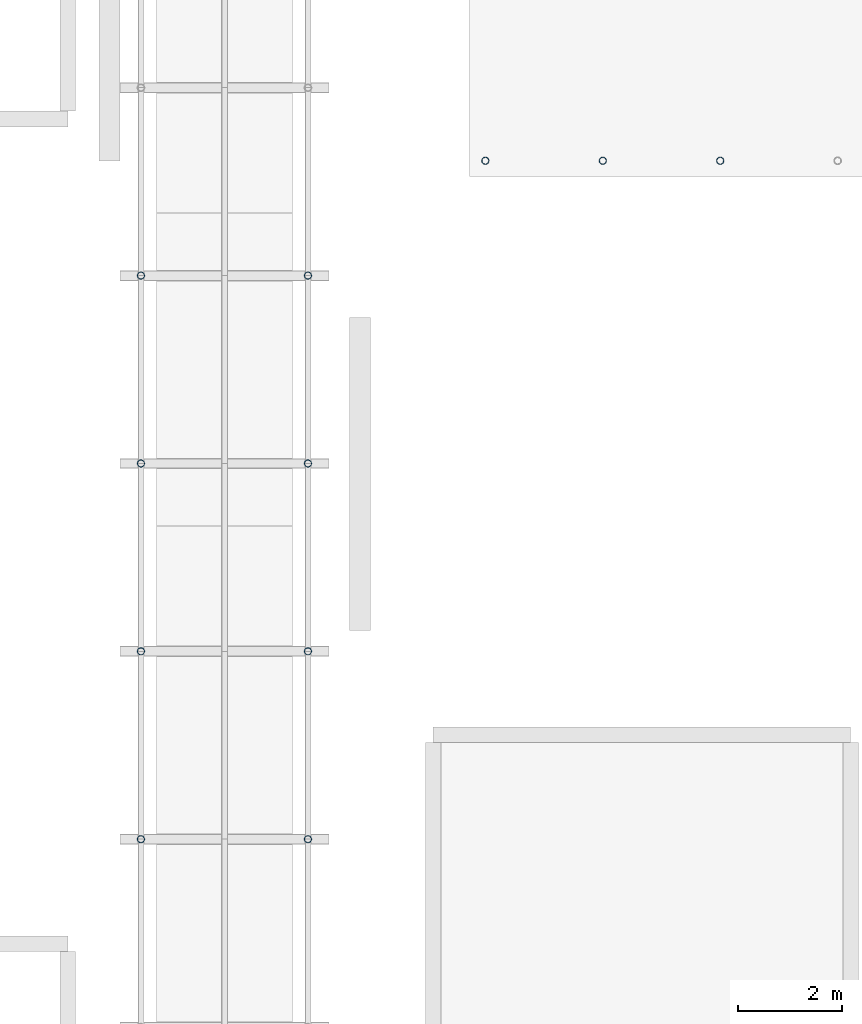
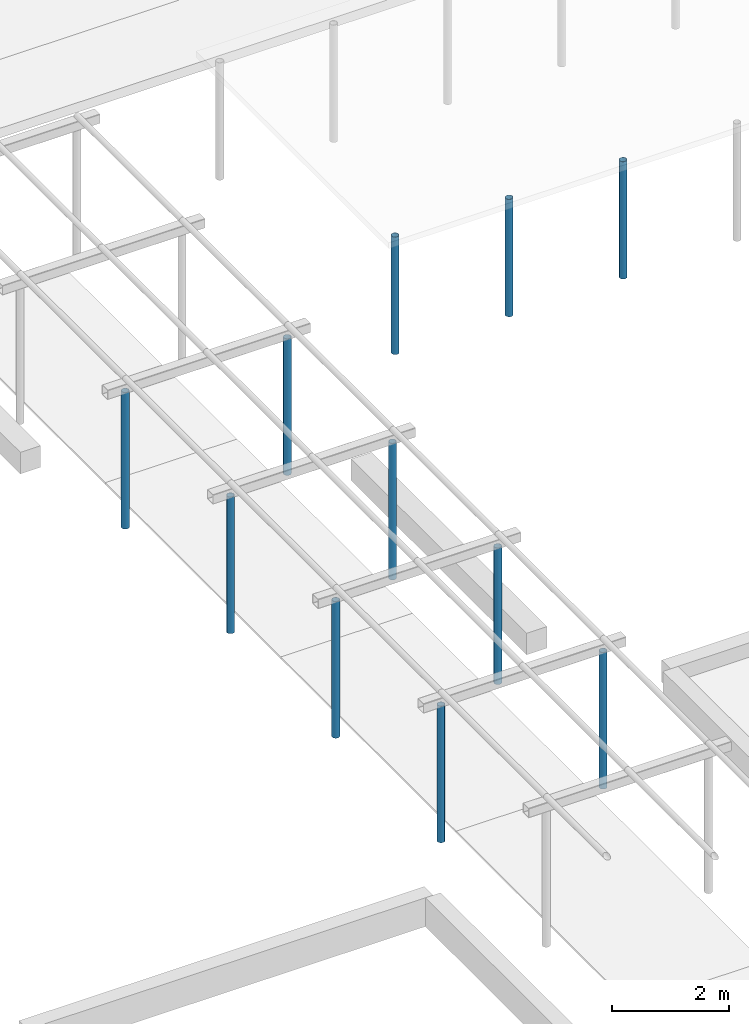
# One storey, part 8 of 71: 11 columns.
"""IFC4 building model written with IfcOpenShell, lengths in metres."""

import ifcopenshell
import ifcopenshell.guid

model = None  # the IFC model being written
_history = None  # IfcOwnerHistory: only IFC2X3 demands one
_inside = {}  # id of a spatial element -> (the spatial element, [elements in it])
_under = {}  # id of a project, library or spatial element -> (it, [spatial elements below it])
_declared = {}  # id of a project -> (the project, [libraries it declares])
_typed = {}  # id of a type object -> (the type object, [elements of that type])
_made_of = {}  # id of a material, layer set ... -> (it, [elements and type objects made of it])


def new_model(schema):
    """Start an empty IFC model of exactly this schema.

    Asked for "IFC4X3", IfcOpenShell would pick the latest addendum, in which some entities
    have other attributes; the version numbers below select the first issue.
    IFC2X3 requires an IfcOwnerHistory on every rooted entity: one is made here for all.
    """
    global model, _history
    if schema == "IFC4X3":
        model = ifcopenshell.file(schema_version=(4, 3, 0, 0))
    else:
        model = ifcopenshell.file(schema=schema)
    _inside.clear()
    _under.clear()
    _declared.clear()
    _typed.clear()
    _made_of.clear()
    _history = None
    if model.schema == "IFC2X3":
        org = make("IfcOrganization", Name="unknown")
        user = make(
            "IfcPersonAndOrganization",
            ThePerson=make("IfcPerson", FamilyName="unknown"),
            TheOrganization=org,
        )
        app = make(
            "IfcApplication",
            ApplicationDeveloper=org,
            Version="unknown",
            ApplicationFullName="unknown",
            ApplicationIdentifier="unknown",
        )
        _history = make(
            "IfcOwnerHistory",
            OwningUser=user,
            OwningApplication=app,
            ChangeAction="ADDED",
            CreationDate=0,
        )
    return model


def make(cls, **values):
    """One entity of the class cls with the attributes given. An attribute that is None is left unset."""
    return model.create_entity(
        cls, **{name: value for name, value in values.items() if value is not None}
    )


def rooted(cls, **values):
    """An entity with a GlobalId (a new one), such as an element, a storey or a relation."""
    return make(cls, GlobalId=ifcopenshell.guid.new(), OwnerHistory=_history, **values)


def si_unit(unit_type, name, prefix=None):
    """IfcSIUnit, for example si_unit("LENGTHUNIT", "METRE", prefix="MILLI")."""
    return make("IfcSIUnit", UnitType=unit_type, Prefix=prefix, Name=name)


def assignment(units):
    """IfcUnitAssignment: the units of a project."""
    return None if units is None else make("IfcUnitAssignment", Units=units)


def point(xyz):
    """IfcCartesianPoint."""
    return None if xyz is None else make("IfcCartesianPoint", Coordinates=xyz)


def direction(xyz):
    """IfcDirection."""
    return None if xyz is None else make("IfcDirection", DirectionRatios=xyz)


def frame(location, z_axis=None, x_axis=None):
    """IfcAxis2Placement3D, a coordinate frame: its origin and axes. An axis left out is left unset."""
    return make(
        "IfcAxis2Placement3D",
        Location=point(location),
        Axis=direction(z_axis),
        RefDirection=direction(x_axis),
    )


def frame_2d(location, x_axis=None):
    """IfcAxis2Placement2D, a coordinate frame in the plane: its origin and x axis."""
    return make(
        "IfcAxis2Placement2D", Location=point(location), RefDirection=direction(x_axis)
    )


def origin():
    """The frame at (0, 0, 0) with its axes left unset."""
    return frame((0.0, 0.0, 0.0))


def origin_2d():
    """The frame at (0, 0) in the plane with its x axis left unset."""
    return frame_2d((0.0, 0.0))


def place(relative_to, where):
    """IfcLocalPlacement: puts the frame where relative to a parent placement (None: the world)."""
    return make(
        "IfcLocalPlacement", PlacementRelTo=relative_to, RelativePlacement=where
    )


def context(
    kind, dimensions, precision=None, world=None, true_north=None, identifier=None
):
    """IfcGeometricRepresentationContext, for example the 3D "Model" context."""
    return make(
        "IfcGeometricRepresentationContext",
        ContextIdentifier=identifier,
        ContextType=kind,
        CoordinateSpaceDimension=dimensions,
        Precision=precision,
        WorldCoordinateSystem=world,
        TrueNorth=true_north,
    )


def subcontext(parent, identifier, kind, view, scale=None):
    """IfcGeometricRepresentationSubContext, for example "Body" below "Model"."""
    return make(
        "IfcGeometricRepresentationSubContext",
        ContextIdentifier=identifier,
        ContextType=kind,
        ParentContext=parent,
        TargetScale=scale,
        TargetView=view,
    )


def project(units=None, contexts=None):
    """IfcProject with its units and contexts."""
    return rooted(
        "IfcProject",
        Name="project",
        RepresentationContexts=contexts,
        UnitsInContext=assignment(units),
    )


def spatial(cls, under=None, at=None, **own):
    """A site, building, storey or space (cls), placed at a placement, below another one or the project."""
    s = rooted(cls, ObjectPlacement=at, **own)
    if under is not None:
        _under.setdefault(under.id(), (under, []))[1].append(s)
    return s


def profile(cls, at=None, kind="AREA", **sizes):
    """A parametric profile (cls). Its sizes go by their IFC names, for example OverallWidth=200.0."""
    return make(cls, ProfileType=kind, Position=at, **sizes)


def hollow_circle(**sizes):
    """IfcCircleHollowProfileDef."""
    return profile("IfcCircleHollowProfileDef", **sizes)


def extrude(swept, where, along, depth):
    """IfcExtrudedAreaSolid: the profile swept, set in the frame where, extruded along a direction by depth."""
    return make(
        "IfcExtrudedAreaSolid",
        SweptArea=swept,
        Position=where,
        ExtrudedDirection=direction(along),
        Depth=depth,
    )


def shape(context_of_items, identifier, shape_type, items):
    """IfcShapeRepresentation: the items that make up one representation, for example the "Body"."""
    return make(
        "IfcShapeRepresentation",
        ContextOfItems=context_of_items,
        RepresentationIdentifier=identifier,
        RepresentationType=shape_type,
        Items=items,
    )


def material(Name=None, Category=None):
    """IfcMaterial."""
    return make("IfcMaterial", Name=Name, Category=Category)


def material_profile(
    of_material, cross_section, Name=None, Category=None, Priority=None
):
    """IfcMaterialProfile: a cross section and its material."""
    return make(
        "IfcMaterialProfile",
        Name=Name,
        Material=of_material,
        Profile=cross_section,
        Priority=Priority,
        Category=Category,
    )


def profile_set(profiles, Name=None, composite=None):
    """IfcMaterialProfileSet."""
    return make(
        "IfcMaterialProfileSet",
        Name=Name,
        MaterialProfiles=profiles,
        CompositeProfile=composite,
    )


def made_of(thing, what):
    """Note that an element or type object is made of a material, layer set ...; save() writes the relation."""
    if what is not None:
        _made_of.setdefault(what.id(), (what, []))[1].append(thing)
    return thing


def type_object(cls, material=None, **own):
    """A type object (cls), such as IfcWallType, which elements share."""
    return made_of(rooted(cls, **own), material)


def element(
    cls,
    number,
    at=None,
    inside=None,
    cuts=None,
    type_object=None,
    material=None,
    context=None,
    identifier="Body",
    shape_type=None,
    held_by="IfcProductDefinitionShape",
    body=None,
    shapes=None,
    **own,
):
    """One element of the class cls, such as IfcWall. Its Tag is "e" and its number.

    at: its placement. inside: the storey or other place that contains it. cuts: it is an
    opening in that element (IfcRelVoidsElement). A single representation is given by context,
    identifier, shape_type and body (its items); several are given by shapes. held_by: the class
    of the entity that holds the representations. save() writes the other relations.
    """
    e = rooted(cls, Tag="e%d" % number, ObjectPlacement=at, **own)
    if body is not None:
        shapes = [shape(context, identifier, shape_type, body)]
    if shapes is not None:
        e.Representation = make(held_by, Representations=shapes)
    if inside is not None:
        _inside.setdefault(inside.id(), (inside, []))[1].append(e)
    if cuts is not None:
        rooted(
            "IfcRelVoidsElement", RelatingBuildingElement=cuts, RelatedOpeningElement=e
        )
    if type_object is not None:
        _typed.setdefault(type_object.id(), (type_object, []))[1].append(e)
    return made_of(e, material)


def aggregate(whole, parts):
    """IfcRelAggregates: a whole, such as a stair, and the parts it consists of."""
    return rooted("IfcRelAggregates", RelatingObject=whole, RelatedObjects=parts)


def save(model, path):
    """Write the relations noted so far, then the file.

    IfcRelAggregates (storeys below a building ...), IfcRelContainedInSpatialStructure (elements
    in a storey), IfcRelDefinesByType, IfcRelAssociatesMaterial and IfcRelDeclares: one each for
    every whole, place, type object, material and project.
    """
    for whole, parts in _under.values():
        aggregate(whole, parts)
    for where, things in _inside.values():
        rooted(
            "IfcRelContainedInSpatialStructure",
            RelatedElements=things,
            RelatingStructure=where,
        )
    for kind, things in _typed.values():
        rooted("IfcRelDefinesByType", RelatedObjects=things, RelatingType=kind)
    for what, things in _made_of.values():
        rooted("IfcRelAssociatesMaterial", RelatedObjects=things, RelatingMaterial=what)
    for by, libraries in _declared.values():
        rooted("IfcRelDeclares", RelatingContext=by, RelatedDefinitions=libraries)
    model.write(path)


model = new_model("IFC4")

# Units and contexts
model_context = context("Model", 3, precision=1e-05, world=origin(), true_north=direction((0.0, 1.0)))
body_context = subcontext(model_context, "Body", "Model", "MODEL_VIEW")
ifc_project = project(units=[si_unit("LENGTHUNIT", "METRE"), si_unit("AREAUNIT", "SQUARE_METRE"), si_unit("VOLUMEUNIT", "CUBIC_METRE"), si_unit("PLANEANGLEUNIT", "RADIAN"), si_unit("MASSUNIT", "GRAM", prefix="KILO")], contexts=[model_context])

# Site, building, storey
site_placement = place(None, origin())
site = spatial("IfcSite", under=ifc_project, at=site_placement, CompositionType="ELEMENT")
building_placement = place(site_placement, origin())
building = spatial("IfcBuilding", under=site, at=building_placement, Name="Basin Gate Institute", CompositionType="ELEMENT")
storey_placement = place(building_placement, origin())
storey = spatial("IfcBuildingStorey", under=building, at=storey_placement, Name="L00", CompositionType="ELEMENT", Elevation=0.0)

# Columns
ifc_material = material(Name="Structural steel SN490", Category="steel")
ifc_material_profile = material_profile(ifc_material, hollow_circle(Radius=0.06982421875, WallThickness=0.006103515625, at=origin_2d()), Name="CHS139x6")
ifc_profile_set = profile_set([ifc_material_profile], Name="Structural steel SN490")
column_type = type_object("IfcColumnType", Name="Court steel TD4 Column column", PredefinedType="COLUMN", material=ifc_profile_set)
for number, where, z_axis, x_axis, name in (
    (1, (40.39990234375, 86.0, -0.050048828125), (0.0, 0.0, 1.0), (1.0, 0.0, 0.0), "Laboratory Garden pergola post"),
    (2, (43.60009765625, 86.0, -0.050048828125), (0.0, 0.0, 1.0), (1.0, 0.0, 0.0), "Laboratory Garden pergola post"),
    (3, (40.39990234375, 89.60009765625, -0.050048828125), (0.0, 0.0, 1.0), (1.0, 0.0, 0.0), "Laboratory Garden pergola post"),
    (4, (43.60009765625, 89.60009765625, -0.050048828125), (0.0, 0.0, 1.0), (1.0, 0.0, 0.0), "Laboratory Garden pergola post"),
    (5, (40.39990234375, 93.199951171875, -0.050048828125), (0.0, 0.0, 1.0), (1.0, 0.0, 0.0), "Laboratory Garden pergola post"),
    (6, (43.60009765625, 93.199951171875, -0.050048828125), (0.0, 0.0, 1.0), (1.0, 0.0, 0.0), "Laboratory Garden pergola post"),
    (7, (40.39990234375, 96.800048828125, -0.050048828125), (0.0, 0.0, 1.0), (1.0, 0.0, 0.0), "Laboratory Garden pergola post"),
    (8, (43.60009765625, 96.800048828125, -0.050048828125), (0.0, 0.0, 1.0), (1.0, 0.0, 0.0), "Laboratory Garden pergola post"),
):
    element("IfcColumn", number, at=place(storey_placement, frame(where, z_axis=z_axis, x_axis=x_axis)), inside=storey, type_object=column_type, material=ifc_profile_set, Name=name, PredefinedType="COLUMN", context=body_context, shape_type="SweptSolid", body=[
        extrude(hollow_circle(Radius=0.06982421875, WallThickness=0.006103515625, at=origin_2d()), origin(), (0.0, 0.0, 1.0), 2.85009765625),
    ])
for number, where, z_axis, x_axis, name in (
    (9, (47.0, 99.0, -0.050048828125), (0.0, 0.0, 1.0), (1.0, 0.0, 0.0), "Laboratory Garden cycle store post"),
    (10, (49.25, 99.0, -0.050048828125), (0.0, 0.0, 1.0), (1.0, 0.0, 0.0), "Laboratory Garden cycle store post"),
    (11, (51.5, 99.0, -0.050048828125), (0.0, 0.0, 1.0), (1.0, 0.0, 0.0), "Laboratory Garden cycle store post"),
):
    element("IfcColumn", number, at=place(storey_placement, frame(where, z_axis=z_axis, x_axis=x_axis)), inside=storey, type_object=column_type, material=ifc_profile_set, Name=name, PredefinedType="COLUMN", context=body_context, shape_type="SweptSolid", body=[
        extrude(hollow_circle(Radius=0.06982421875, WallThickness=0.006103515625, at=origin_2d()), origin(), (0.0, 0.0, 1.0), 2.449951171875),
    ])

save(model, "model.ifc")
